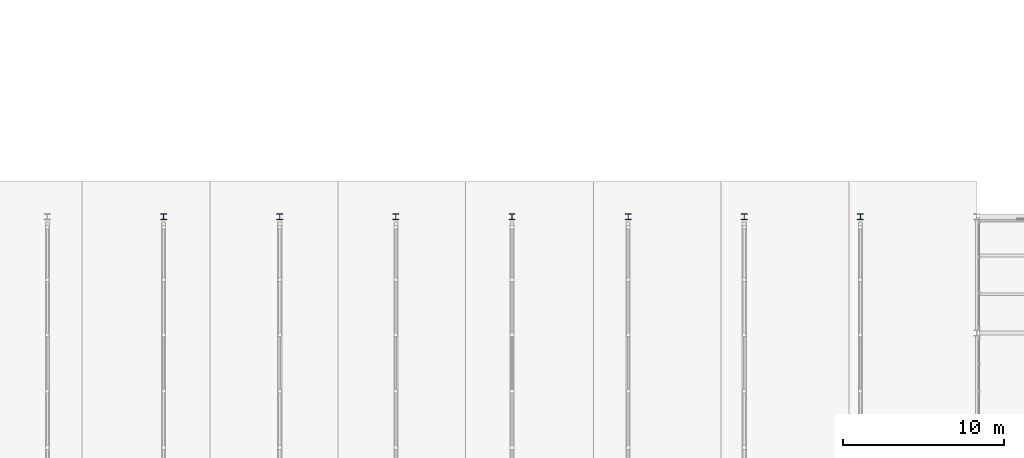
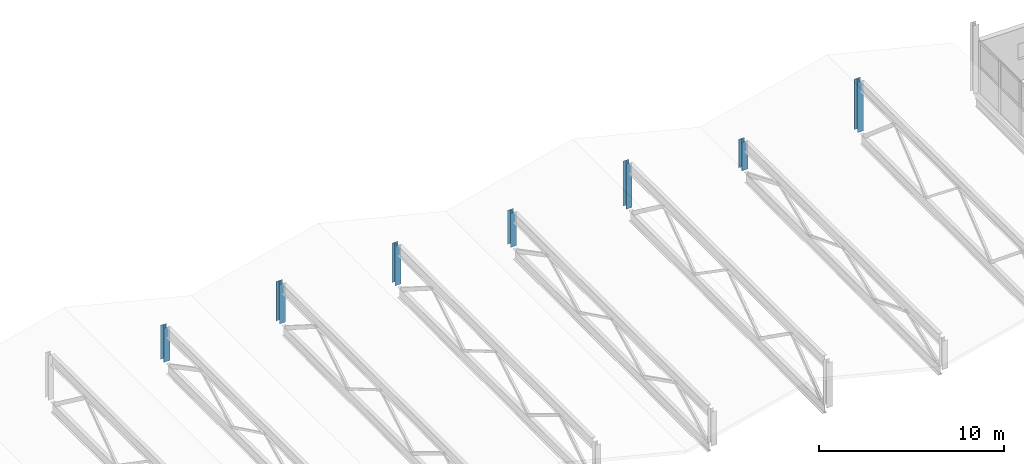
# One storey, part 7 of 123: 7 columns.
"""IFC4 building model written with IfcOpenShell, lengths in metres."""

from ifc_helpers import new_model, si_unit, direction, frame, origin, origin_2d, place, context, subcontext, project, spatial, i_section, extrude, material, material_profile, profile_set, type_object, element, save


model = new_model("IFC4")

# Units and contexts
model_context = context("Model", 3, precision=1e-05, world=origin(), true_north=direction((0.0, 1.0)))
body_context = subcontext(model_context, "Body", "Model", "MODEL_VIEW")
ifc_project = project(units=[si_unit("LENGTHUNIT", "METRE"), si_unit("AREAUNIT", "SQUARE_METRE"), si_unit("VOLUMEUNIT", "CUBIC_METRE"), si_unit("PLANEANGLEUNIT", "RADIAN"), si_unit("MASSUNIT", "GRAM", prefix="KILO")], contexts=[model_context])

# Site, building, storey
site_placement = place(None, origin())
site = spatial("IfcSite", under=ifc_project, at=site_placement, CompositionType="ELEMENT")
building_placement = place(site_placement, origin())
building = spatial("IfcBuilding", under=site, at=building_placement, Name="Kalmorath City Hall", CompositionType="ELEMENT")
storey_placement = place(building_placement, frame((0.0, 0.0, 10.199951171875)))
storey = spatial("IfcBuildingStorey", under=building, at=storey_placement, Name="L02", CompositionType="ELEMENT", Elevation=10.199951171875)

# Columns
ifc_material = material(Name="Steel ASTM A992 Grade 50", Category="steel")
ifc_material_profile = material_profile(ifc_material, i_section(OverallWidth=0.368896484375, OverallDepth=0.35595703125, WebThickness=0.01123046875, FlangeThickness=0.01806640625, FilletRadius=0.01806640625, at=origin_2d()), Name="W14X90")
ifc_profile_set = profile_set([ifc_material_profile], Name="Steel ASTM A992 Grade 50")
column_type = type_object("IfcColumnType", Name="Steel wide-flange column W14X90", PredefinedType="COLUMN", material=ifc_profile_set)
column_1_placement = place(storey_placement, frame((64.800048828125, 43.199951171875, 0.0), z_axis=(0.0, 0.0, 1.0), x_axis=(1.0, 0.0, 0.0)))
element("IfcColumn", 1, at=column_1_placement, inside=storey, type_object=column_type, Name="L02 hall truss column SC3-4.6", PredefinedType="COLUMN", context=body_context, shape_type="SweptSolid", body=[
    extrude(i_section(OverallWidth=0.368896484375, OverallDepth=0.35595703125, WebThickness=0.01123046875, FlangeThickness=0.01806640625, FilletRadius=0.01806640625, at=origin_2d()), origin(), (0.0, 0.0, 1.0), 2.239990234375),
])
for number, where, z_axis, x_axis, name in (
    (2, (72.0, 43.199951171875, 0.0), (0.0, 0.0, 1.0), (1.0, 0.0, 0.0), "L02 hall truss column SC3-5.6"),
    (3, (79.199951171875, 43.199951171875, 0.0), (0.0, 0.0, 1.0), (1.0, 0.0, 0.0), "L02 hall truss column SC3-6.6"),
):
    element("IfcColumn", number, at=place(storey_placement, frame(where, z_axis=z_axis, x_axis=x_axis)), inside=storey, type_object=column_type, Name=name, PredefinedType="COLUMN", context=body_context, shape_type="SweptSolid", body=[
        extrude(i_section(OverallWidth=0.368896484375, OverallDepth=0.35595703125, WebThickness=0.01123046875, FlangeThickness=0.01806640625, FilletRadius=0.01806640625, at=origin_2d()), origin(), (0.0, 0.0, 1.0), 2.60009765625),
    ])
column_2_placement = place(storey_placement, frame((86.39990234375, 43.199951171875, 0.0), z_axis=(0.0, 0.0, 1.0), x_axis=(1.0, 0.0, 0.0)))
element("IfcColumn", 4, at=column_2_placement, inside=storey, type_object=column_type, Name="L02 hall truss column SC3-7.6", PredefinedType="COLUMN", context=body_context, shape_type="SweptSolid", body=[
    extrude(i_section(OverallWidth=0.368896484375, OverallDepth=0.35595703125, WebThickness=0.01123046875, FlangeThickness=0.01806640625, FilletRadius=0.01806640625, at=origin_2d()), origin(), (0.0, 0.0, 1.0), 2.239990234375),
])
column_3_placement = place(storey_placement, frame((93.60009765625, 43.199951171875, 0.0), z_axis=(0.0, 0.0, 1.0), x_axis=(1.0, 0.0, 0.0)))
element("IfcColumn", 5, at=column_3_placement, inside=storey, type_object=column_type, Name="L02 hall truss column SC3-8.6", PredefinedType="COLUMN", context=body_context, shape_type="SweptSolid", body=[
    extrude(i_section(OverallWidth=0.368896484375, OverallDepth=0.35595703125, WebThickness=0.01123046875, FlangeThickness=0.01806640625, FilletRadius=0.01806640625, at=origin_2d()), origin(), (0.0, 0.0, 1.0), 2.9599609375),
])
column_4_placement = place(storey_placement, frame((100.800048828125, 43.199951171875, 0.0), z_axis=(0.0, 0.0, 1.0), x_axis=(1.0, 0.0, 0.0)))
element("IfcColumn", 6, at=column_4_placement, inside=storey, type_object=column_type, Name="L02 hall truss column SC3-9.6", PredefinedType="COLUMN", context=body_context, shape_type="SweptSolid", body=[
    extrude(i_section(OverallWidth=0.368896484375, OverallDepth=0.35595703125, WebThickness=0.01123046875, FlangeThickness=0.01806640625, FilletRadius=0.01806640625, at=origin_2d()), origin(), (0.0, 0.0, 1.0), 1.880126953125),
])
column_5_placement = place(storey_placement, frame((108.0, 43.199951171875, 0.0), z_axis=(0.0, 0.0, 1.0), x_axis=(1.0, 0.0, 0.0)))
element("IfcColumn", 7, at=column_5_placement, inside=storey, type_object=column_type, Name="L02 hall truss column SC3-10.6", PredefinedType="COLUMN", context=body_context, shape_type="SweptSolid", body=[
    extrude(i_section(OverallWidth=0.368896484375, OverallDepth=0.35595703125, WebThickness=0.01123046875, FlangeThickness=0.01806640625, FilletRadius=0.01806640625, at=origin_2d()), origin(), (0.0, 0.0, 1.0), 3.320068359375),
])

save(model, "model.ifc")
